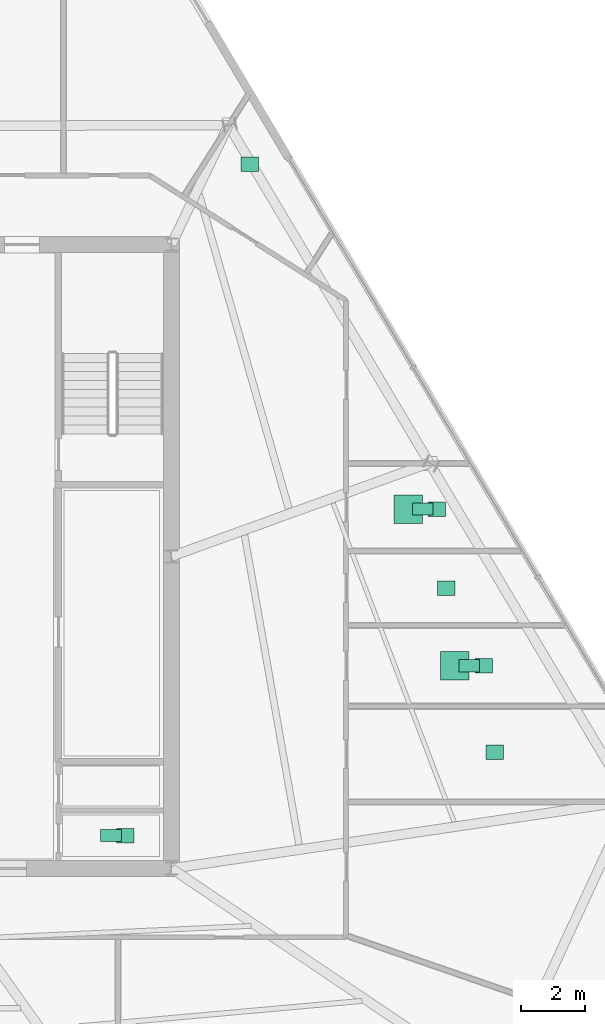
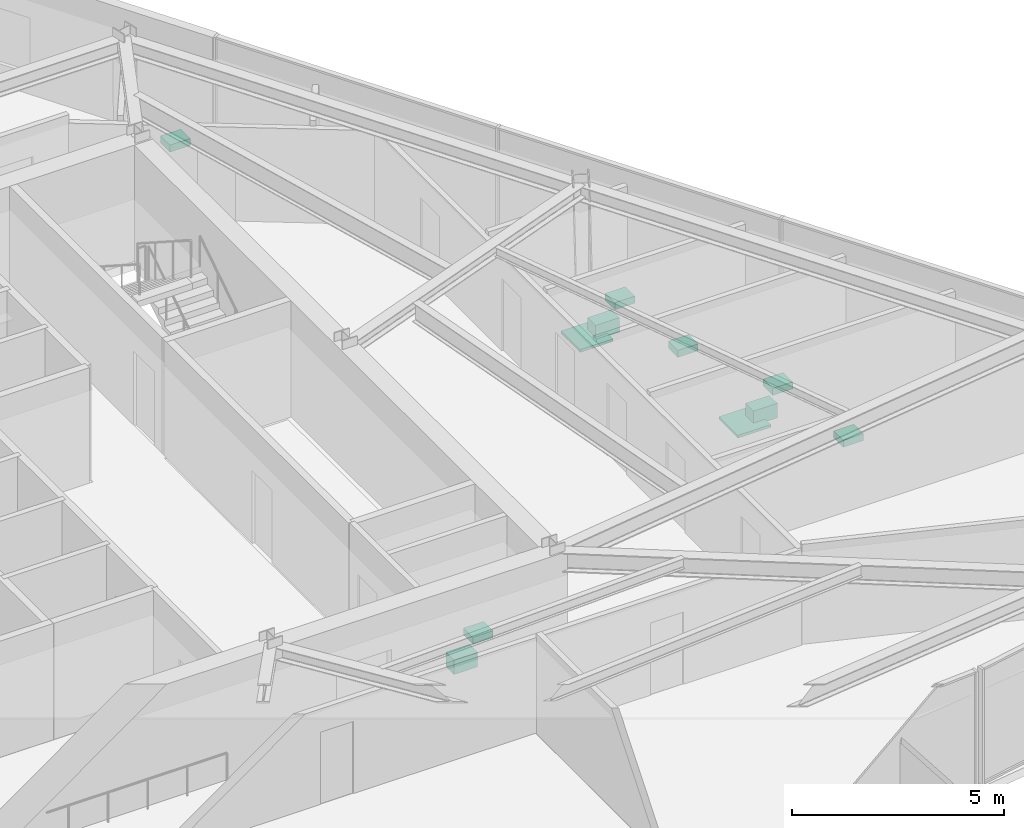
# One storey, part 15 of 15: 11 sanitary terminals.
"""IFC4 building model written with IfcOpenShell, lengths in metres."""

import ifcopenshell
import ifcopenshell.guid

model = None  # the IFC model being written
_history = None  # IfcOwnerHistory: only IFC2X3 demands one
_inside = {}  # id of a spatial element -> (the spatial element, [elements in it])
_under = {}  # id of a project, library or spatial element -> (it, [spatial elements below it])
_declared = {}  # id of a project -> (the project, [libraries it declares])
_typed = {}  # id of a type object -> (the type object, [elements of that type])
_made_of = {}  # id of a material, layer set ... -> (it, [elements and type objects made of it])


def new_model(schema):
    """Start an empty IFC model of exactly this schema.

    Asked for "IFC4X3", IfcOpenShell would pick the latest addendum, in which some entities
    have other attributes; the version numbers below select the first issue.
    IFC2X3 requires an IfcOwnerHistory on every rooted entity: one is made here for all.
    """
    global model, _history
    if schema == "IFC4X3":
        model = ifcopenshell.file(schema_version=(4, 3, 0, 0))
    else:
        model = ifcopenshell.file(schema=schema)
    _inside.clear()
    _under.clear()
    _declared.clear()
    _typed.clear()
    _made_of.clear()
    _history = None
    if model.schema == "IFC2X3":
        org = make("IfcOrganization", Name="unknown")
        user = make(
            "IfcPersonAndOrganization",
            ThePerson=make("IfcPerson", FamilyName="unknown"),
            TheOrganization=org,
        )
        app = make(
            "IfcApplication",
            ApplicationDeveloper=org,
            Version="unknown",
            ApplicationFullName="unknown",
            ApplicationIdentifier="unknown",
        )
        _history = make(
            "IfcOwnerHistory",
            OwningUser=user,
            OwningApplication=app,
            ChangeAction="ADDED",
            CreationDate=0,
        )
    return model


def make(cls, **values):
    """One entity of the class cls with the attributes given. An attribute that is None is left unset."""
    return model.create_entity(
        cls, **{name: value for name, value in values.items() if value is not None}
    )


def rooted(cls, **values):
    """An entity with a GlobalId (a new one), such as an element, a storey or a relation."""
    return make(cls, GlobalId=ifcopenshell.guid.new(), OwnerHistory=_history, **values)


def si_unit(unit_type, name, prefix=None):
    """IfcSIUnit, for example si_unit("LENGTHUNIT", "METRE", prefix="MILLI")."""
    return make("IfcSIUnit", UnitType=unit_type, Prefix=prefix, Name=name)


def assignment(units):
    """IfcUnitAssignment: the units of a project."""
    return None if units is None else make("IfcUnitAssignment", Units=units)


def point(xyz):
    """IfcCartesianPoint."""
    return None if xyz is None else make("IfcCartesianPoint", Coordinates=xyz)


def direction(xyz):
    """IfcDirection."""
    return None if xyz is None else make("IfcDirection", DirectionRatios=xyz)


def frame(location, z_axis=None, x_axis=None):
    """IfcAxis2Placement3D, a coordinate frame: its origin and axes. An axis left out is left unset."""
    return make(
        "IfcAxis2Placement3D",
        Location=point(location),
        Axis=direction(z_axis),
        RefDirection=direction(x_axis),
    )


def frame_2d(location, x_axis=None):
    """IfcAxis2Placement2D, a coordinate frame in the plane: its origin and x axis."""
    return make(
        "IfcAxis2Placement2D", Location=point(location), RefDirection=direction(x_axis)
    )


def origin():
    """The frame at (0, 0, 0) with its axes left unset."""
    return frame((0.0, 0.0, 0.0))


def origin_2d():
    """The frame at (0, 0) in the plane with its x axis left unset."""
    return frame_2d((0.0, 0.0))


def place(relative_to, where):
    """IfcLocalPlacement: puts the frame where relative to a parent placement (None: the world)."""
    return make(
        "IfcLocalPlacement", PlacementRelTo=relative_to, RelativePlacement=where
    )


def context(
    kind, dimensions, precision=None, world=None, true_north=None, identifier=None
):
    """IfcGeometricRepresentationContext, for example the 3D "Model" context."""
    return make(
        "IfcGeometricRepresentationContext",
        ContextIdentifier=identifier,
        ContextType=kind,
        CoordinateSpaceDimension=dimensions,
        Precision=precision,
        WorldCoordinateSystem=world,
        TrueNorth=true_north,
    )


def subcontext(parent, identifier, kind, view, scale=None):
    """IfcGeometricRepresentationSubContext, for example "Body" below "Model"."""
    return make(
        "IfcGeometricRepresentationSubContext",
        ContextIdentifier=identifier,
        ContextType=kind,
        ParentContext=parent,
        TargetScale=scale,
        TargetView=view,
    )


def project(units=None, contexts=None):
    """IfcProject with its units and contexts."""
    return rooted(
        "IfcProject",
        Name="project",
        RepresentationContexts=contexts,
        UnitsInContext=assignment(units),
    )


def spatial(cls, under=None, at=None, **own):
    """A site, building, storey or space (cls), placed at a placement, below another one or the project."""
    s = rooted(cls, ObjectPlacement=at, **own)
    if under is not None:
        _under.setdefault(under.id(), (under, []))[1].append(s)
    return s


def profile(cls, at=None, kind="AREA", **sizes):
    """A parametric profile (cls). Its sizes go by their IFC names, for example OverallWidth=200.0."""
    return make(cls, ProfileType=kind, Position=at, **sizes)


def rectangle(**sizes):
    """IfcRectangleProfileDef."""
    return profile("IfcRectangleProfileDef", **sizes)


def extrude(swept, where, along, depth):
    """IfcExtrudedAreaSolid: the profile swept, set in the frame where, extruded along a direction by depth."""
    return make(
        "IfcExtrudedAreaSolid",
        SweptArea=swept,
        Position=where,
        ExtrudedDirection=direction(along),
        Depth=depth,
    )


def shape(context_of_items, identifier, shape_type, items):
    """IfcShapeRepresentation: the items that make up one representation, for example the "Body"."""
    return make(
        "IfcShapeRepresentation",
        ContextOfItems=context_of_items,
        RepresentationIdentifier=identifier,
        RepresentationType=shape_type,
        Items=items,
    )


def material(Name=None, Category=None):
    """IfcMaterial."""
    return make("IfcMaterial", Name=Name, Category=Category)


def made_of(thing, what):
    """Note that an element or type object is made of a material, layer set ...; save() writes the relation."""
    if what is not None:
        _made_of.setdefault(what.id(), (what, []))[1].append(thing)
    return thing


def type_object(cls, material=None, **own):
    """A type object (cls), such as IfcWallType, which elements share."""
    return made_of(rooted(cls, **own), material)


def element(
    cls,
    number,
    at=None,
    inside=None,
    cuts=None,
    type_object=None,
    material=None,
    context=None,
    identifier="Body",
    shape_type=None,
    held_by="IfcProductDefinitionShape",
    body=None,
    shapes=None,
    **own,
):
    """One element of the class cls, such as IfcWall. Its Tag is "e" and its number.

    at: its placement. inside: the storey or other place that contains it. cuts: it is an
    opening in that element (IfcRelVoidsElement). A single representation is given by context,
    identifier, shape_type and body (its items); several are given by shapes. held_by: the class
    of the entity that holds the representations. save() writes the other relations.
    """
    e = rooted(cls, Tag="e%d" % number, ObjectPlacement=at, **own)
    if body is not None:
        shapes = [shape(context, identifier, shape_type, body)]
    if shapes is not None:
        e.Representation = make(held_by, Representations=shapes)
    if inside is not None:
        _inside.setdefault(inside.id(), (inside, []))[1].append(e)
    if cuts is not None:
        rooted(
            "IfcRelVoidsElement", RelatingBuildingElement=cuts, RelatedOpeningElement=e
        )
    if type_object is not None:
        _typed.setdefault(type_object.id(), (type_object, []))[1].append(e)
    return made_of(e, material)


def aggregate(whole, parts):
    """IfcRelAggregates: a whole, such as a stair, and the parts it consists of."""
    return rooted("IfcRelAggregates", RelatingObject=whole, RelatedObjects=parts)


def save(model, path):
    """Write the relations noted so far, then the file.

    IfcRelAggregates (storeys below a building ...), IfcRelContainedInSpatialStructure (elements
    in a storey), IfcRelDefinesByType, IfcRelAssociatesMaterial and IfcRelDeclares: one each for
    every whole, place, type object, material and project.
    """
    for whole, parts in _under.values():
        aggregate(whole, parts)
    for where, things in _inside.values():
        rooted(
            "IfcRelContainedInSpatialStructure",
            RelatedElements=things,
            RelatingStructure=where,
        )
    for kind, things in _typed.values():
        rooted("IfcRelDefinesByType", RelatedObjects=things, RelatingType=kind)
    for what, things in _made_of.values():
        rooted("IfcRelAssociatesMaterial", RelatedObjects=things, RelatingMaterial=what)
    for by, libraries in _declared.values():
        rooted("IfcRelDeclares", RelatingContext=by, RelatedDefinitions=libraries)
    model.write(path)


model = new_model("IFC4")

# Units and contexts
model_context = context("Model", 3, precision=1e-05, world=origin(), true_north=direction((0.0, 1.0)))
body_context = subcontext(model_context, "Body", "Model", "MODEL_VIEW")
ifc_project = project(units=[si_unit("LENGTHUNIT", "METRE"), si_unit("AREAUNIT", "SQUARE_METRE"), si_unit("VOLUMEUNIT", "CUBIC_METRE"), si_unit("PLANEANGLEUNIT", "RADIAN"), si_unit("MASSUNIT", "GRAM", prefix="KILO")], contexts=[model_context])

# Site, building, storey
site_placement = place(None, origin())
site = spatial("IfcSite", under=ifc_project, at=site_placement, CompositionType="ELEMENT")
building_placement = place(site_placement, origin())
building = spatial("IfcBuilding", under=site, at=building_placement, Name="Savorim Split Tower", CompositionType="ELEMENT")
storey_placement = place(building_placement, frame((0.0, 0.0, 145.800048828125)))
storey = spatial("IfcBuildingStorey", under=building, at=storey_placement, Name="L38", CompositionType="ELEMENT", Elevation=145.800048828125)

# Sanitary terminals
ifc_material = material(Name="Vitreous China Sanitaryware")
sanitary_terminal_type_1 = type_object("IfcSanitaryTerminalType", Name="SAN-SHW-900", PredefinedType="SHOWER", material=ifc_material)
for number, where, z_axis, x_axis, name in (
    (1, (16.600341796875, -3.0341796875, 0.0), (0.0, 0.0, 1.0), (1.0, 0.0, 0.0), "L38 Shared Bathroom Shower"),
    (2, (15.1376953125, 1.8857421875, 0.0), (0.0, 0.0, 1.0), (1.0, 0.0, 0.0), "L38 Shared Bathroom Shower"),
):
    element("IfcSanitaryTerminal", number, at=place(storey_placement, frame(where, z_axis=z_axis, x_axis=x_axis)), inside=storey, type_object=sanitary_terminal_type_1, Name=name, PredefinedType="SHOWER", context=body_context, shape_type="SweptSolid", body=[
        extrude(rectangle(XDim=0.89990234375, YDim=0.89990234375, at=origin_2d()), origin(), (0.0, 0.0, 1.0), 0.080078125),
    ])
sanitary_terminal_type_2 = type_object("IfcSanitaryTerminalType", Name="SAN-WC-PAN", PredefinedType="TOILETPAN", material=ifc_material)
for number, where, z_axis, x_axis, name in (
    (3, (5.800048828125, -8.3701171875, 0.0), (0.0, 0.0, 1.0), (1.0, 0.0, 0.0), "L38 Accessible WC WC Pan"),
    (4, (17.05029296875, -3.0341796875, 0.0), (0.0, 0.0, 1.0), (1.0, 0.0, 0.0), "L38 Shared Bathroom WC Pan"),
    (5, (15.587646484375, 1.8857421875, 0.0), (0.0, 0.0, 1.0), (1.0, 0.0, 0.0), "L38 Shared Bathroom WC Pan"),
):
    element("IfcSanitaryTerminal", number, at=place(storey_placement, frame(where, z_axis=z_axis, x_axis=x_axis)), inside=storey, type_object=sanitary_terminal_type_2, Name=name, PredefinedType="TOILETPAN", context=body_context, shape_type="SweptSolid", body=[
        extrude(rectangle(XDim=0.64990234375, YDim=0.3798828125, at=origin_2d()), origin(), (0.0, 0.0, 1.0), 0.419921875),
    ])
sanitary_terminal_type_3 = type_object("IfcSanitaryTerminalType", Name="SAN-WHB-550", PredefinedType="WASHHANDBASIN", material=ifc_material)
for number, where, z_axis, x_axis, name in (
    (6, (6.25, -8.3701171875, 0.72021484375), (0.0, 0.0, 1.0), (1.0, 0.0, 0.0), "L38 Accessible WC Washhand Basin"),
    (7, (17.85791015625, -5.75048828125, 0.75), (0.0, 0.0, 1.0), (1.0, 0.0, 0.0), "L38 Shared Kitchen Utility Sink"),
    (8, (17.50048828125, -3.0341796875, 0.72021484375), (0.0, 0.0, 1.0), (1.0, 0.0, 0.0), "L38 Shared Bathroom Washhand Basin"),
    (9, (16.32568359375, -0.596435546875, 0.75), (0.0, 0.0, 1.0), (1.0, 0.0, 0.0), "L38 Shared Kitchen Utility Sink"),
    (10, (16.03759765625, 1.8857421875, 0.72021484375), (0.0, 0.0, 1.0), (1.0, 0.0, 0.0), "L38 Shared Bathroom Washhand Basin"),
    (11, (10.16650390625, 12.71533203125, 0.75), (0.0, 0.0, 1.0), (1.0, 0.0, 0.0), "L38 Shared Kitchen Utility Sink"),
):
    element("IfcSanitaryTerminal", number, at=place(storey_placement, frame(where, z_axis=z_axis, x_axis=x_axis)), inside=storey, type_object=sanitary_terminal_type_3, Name=name, PredefinedType="WASHHANDBASIN", context=body_context, shape_type="SweptSolid", body=[
        extrude(rectangle(XDim=0.550048828125, YDim=0.449951171875, at=origin_2d()), origin(), (0.0, 0.0, 1.0), 0.199951171875),
    ])

save(model, "model.ifc")
